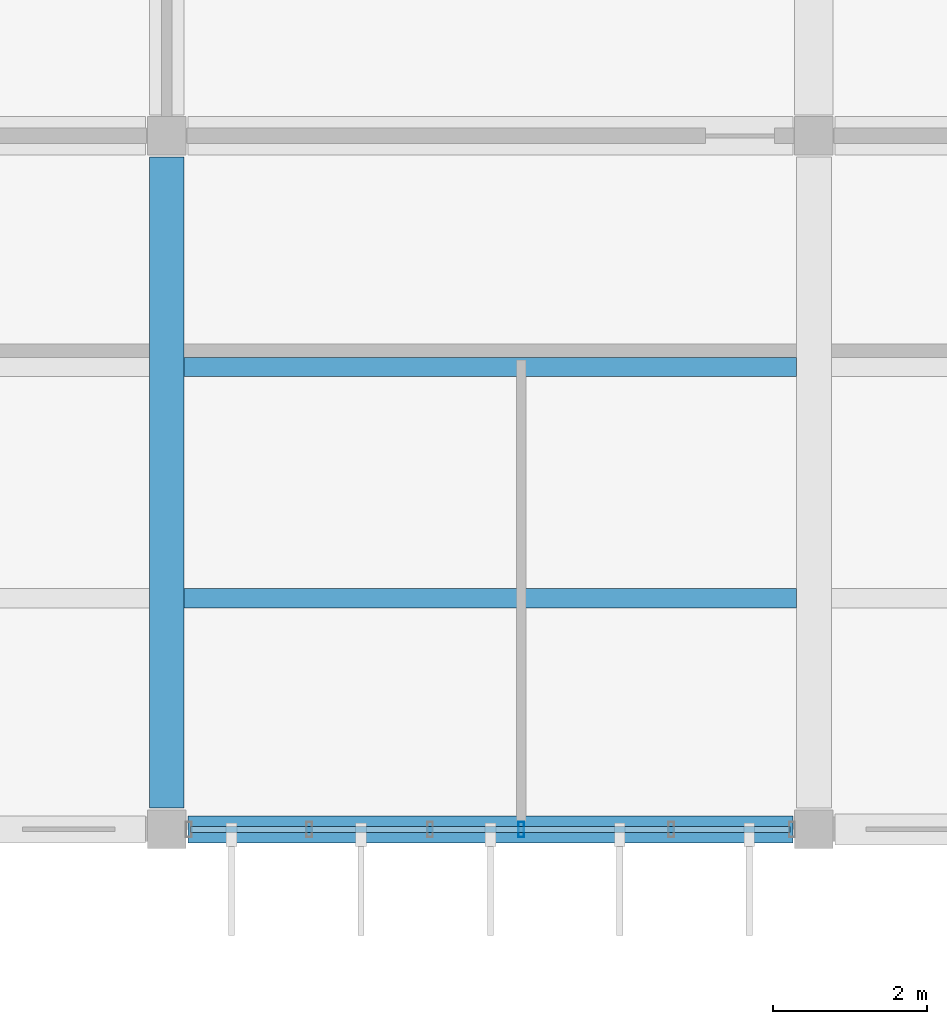
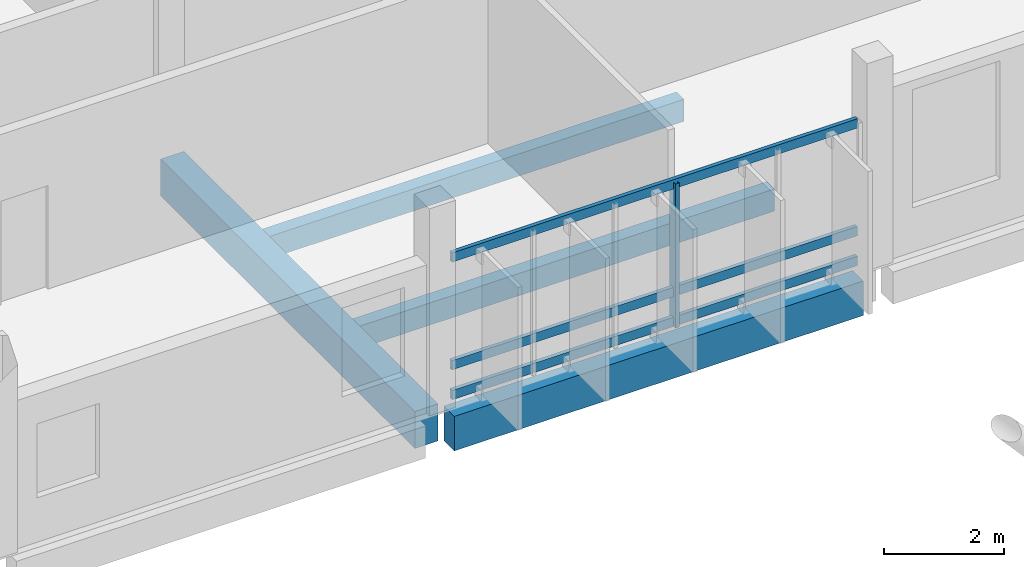
# One storey, part 49 of 107: 4 beams, 4 members, 1 element without a shape of its own.
"""IFC4 building model written with IfcOpenShell, lengths in metres."""

from ifc_helpers import new_model, si_unit, direction, frame, origin, origin_2d, place, context, subcontext, project, spatial, rectangle, hollow_rectangle, extrude, material, layer, layer_set, material_profile, profile_set, type_object, element, aggregate, save


model = new_model("IFC4")

# Units and contexts
model_context = context("Model", 3, precision=1e-05, world=origin(), true_north=direction((0.0, 1.0)))
body_context = subcontext(model_context, "Body", "Model", "MODEL_VIEW")
ifc_project = project(units=[si_unit("LENGTHUNIT", "METRE"), si_unit("AREAUNIT", "SQUARE_METRE"), si_unit("VOLUMEUNIT", "CUBIC_METRE"), si_unit("PLANEANGLEUNIT", "RADIAN"), si_unit("MASSUNIT", "GRAM", prefix="KILO")], contexts=[model_context])

# Site, building, storey
site_placement = place(None, origin())
site = spatial("IfcSite", under=ifc_project, at=site_placement, CompositionType="ELEMENT")
building_placement = place(site_placement, origin())
building = spatial("IfcBuilding", under=site, at=building_placement, Name="Vireocrest Preparatory School", CompositionType="ELEMENT")
storey_placement = place(building_placement, frame((0.0, 0.0, 13.199951171875)))
storey = spatial("IfcBuildingStorey", under=building, at=storey_placement, Name="L03", CompositionType="ELEMENT", Elevation=13.199951171875)

# Curtain wall, members
ifc_material_1 = material(Name="Thermally broken aluminium EN AW-6063-T6", Category="aluminium")
ifc_layer = layer(ifc_material_1, 0.179931640625)
ifc_layer_set = layer_set([ifc_layer], Name="Thermally broken aluminium EN AW-6063-T6")
curtain_wall_type = type_object("IfcCurtainWallType", Name="Setback Terrace Glazing 7600x3200", PredefinedType="USERDEFINED", material=ifc_layer_set)
curtain_wall_placement = place(storey_placement, origin())
curtain_wall = element("IfcCurtainWall", 1, at=curtain_wall_placement, inside=storey, type_object=curtain_wall_type, Name="Curtain Wall CW17 CW_L03_CW17_0758_0948_132", ObjectType="CURTAIN WALL", PredefinedType="USERDEFINED")
ifc_material_profile_1 = material_profile(ifc_material_1, hollow_rectangle(XDim=0.074951171875, YDim=0.199951171875, WallThickness=0.0048828125, at=origin_2d()), Name="ALU 75x200x5")
ifc_profile_set_1 = profile_set([ifc_material_profile_1], Name="Thermally broken aluminium EN AW-6063-T6")
member_type_1 = type_object("IfcMemberType", Name="CW Mullion 75x200x5", PredefinedType="MULLION", material=ifc_profile_set_1)
member_1_placement = place(storey_placement, frame((80.199951171875, 94.800048828125, 0.0), z_axis=(0.0, 0.0, 1.0), x_axis=(1.0, 0.0, 0.0)))
member_1 = element("IfcMember", 2, at=member_1_placement, type_object=member_type_1, Name="CW Mullion ML3 CW_L03_CW17_0758_0948_132-4", PredefinedType="MULLION", context=body_context, shape_type="SweptSolid", body=[
    extrude(hollow_rectangle(XDim=0.074951171875, YDim=0.199951171875, WallThickness=0.0048828125, at=origin_2d()), origin(), (0.0, 0.0, 1.0), 2.925048828125),
])
ifc_material_profile_2 = material_profile(ifc_material_1, hollow_rectangle(XDim=0.074951171875, YDim=0.18994140625, WallThickness=0.00390625, at=origin_2d()), Name="ALU 75x190x4")
ifc_profile_set_2 = profile_set([ifc_material_profile_2], Name="Thermally broken aluminium EN AW-6063-T6")
member_type_2 = type_object("IfcMemberType", Name="CW Transom 75x190x4", PredefinedType="USERDEFINED", material=ifc_profile_set_2)
member_2_placement = place(storey_placement, frame((75.909912109375, 94.800048828125, 0.094970703125), z_axis=(1.0, 0.0, 0.0), x_axis=(0.0, 1.0, 0.0)))
member_2 = element("IfcMember", 3, at=member_2_placement, type_object=member_type_2, Name="CW Transom TR3 CW_L03_CW17_0758_0948_132-1", ObjectType="TRANSOM", PredefinedType="USERDEFINED", context=body_context, shape_type="SweptSolid", body=[
    extrude(hollow_rectangle(XDim=0.074951171875, YDim=0.18994140625, WallThickness=0.00390625, at=origin_2d()), origin(), (0.0, 0.0, 1.0), 7.780029296875),
])
member_3_placement = place(storey_placement, frame((75.909912109375, 94.800048828125, 0.699951171875), z_axis=(1.0, 0.0, 0.0), x_axis=(0.0, 1.0, 0.0)))
member_3 = element("IfcMember", 4, at=member_3_placement, type_object=member_type_2, Name="CW Transom TR3 CW_L03_CW17_0758_0948_132-2", ObjectType="TRANSOM", PredefinedType="USERDEFINED", context=body_context, shape_type="SweptSolid", body=[
    extrude(hollow_rectangle(XDim=0.074951171875, YDim=0.18994140625, WallThickness=0.00390625, at=origin_2d()), origin(), (0.0, 0.0, 1.0), 7.780029296875),
])
member_4_placement = place(storey_placement, frame((75.909912109375, 94.800048828125, 2.885009765625), z_axis=(1.0, 0.0, 0.0), x_axis=(0.0, 1.0, 0.0)))
member_4 = element("IfcMember", 5, at=member_4_placement, type_object=member_type_2, Name="CW Transom TR3 CW_L03_CW17_0758_0948_132-3", ObjectType="TRANSOM", PredefinedType="USERDEFINED", context=body_context, shape_type="SweptSolid", body=[
    extrude(hollow_rectangle(XDim=0.074951171875, YDim=0.18994140625, WallThickness=0.00390625, at=origin_2d()), origin(), (0.0, 0.0, 1.0), 7.780029296875),
])
aggregate(curtain_wall, [member_1, member_2, member_3, member_4])

# Beams
ifc_material_2 = material(Name="Concrete 40 MPa", Category="concrete")
ifc_material_profile_3 = material_profile(ifc_material_2, rectangle(XDim=0.35009765625, YDim=0.699951171875, at=origin_2d()), Name="RC 350x700")
ifc_profile_set_3 = profile_set([ifc_material_profile_3], Name="Concrete 40 MPa")
beam_type_1 = type_object("IfcBeamType", Name="RC Laboratory Girder 350x700", PredefinedType="BEAM", material=ifc_profile_set_3)
beam_1_placement = place(storey_placement, frame((75.875, 94.800048828125, -0.58984375), z_axis=(1.0, 0.0, 0.0), x_axis=(0.0, 1.0, 0.0)))
element("IfcBeam", 6, at=beam_1_placement, inside=storey, type_object=beam_type_1, Name="Primary Girder B06 L03-1084", PredefinedType="BEAM", context=body_context, shape_type="SweptSolid", body=[
    extrude(rectangle(XDim=0.35009765625, YDim=0.699951171875, at=origin_2d()), origin(), (0.0, 0.0, 1.0), 7.85009765625),
])
ifc_material_profile_4 = material_profile(ifc_material_2, rectangle(XDim=0.449951171875, YDim=0.75, at=origin_2d()), Name="RC 450x750")
ifc_profile_set_4 = profile_set([ifc_material_profile_4], Name="Concrete 40 MPa")
beam_type_2 = type_object("IfcBeamType", Name="RC Library Stack Girder 450x750", PredefinedType="BEAM", material=ifc_profile_set_4)
beam_2_placement = place(storey_placement, frame((75.60009765625, 95.074951171875, -0.614990234375), z_axis=(0.0, 1.0, 0.0), x_axis=(-1.0, 0.0, 0.0)))
element("IfcBeam", 7, at=beam_2_placement, inside=storey, type_object=beam_type_2, Name="Primary Girder B11 L03-1138", PredefinedType="BEAM", context=body_context, shape_type="SweptSolid", body=[
    extrude(rectangle(XDim=0.449951171875, YDim=0.75, at=origin_2d()), origin(), (0.0, 0.0, 1.0), 8.449951171875),
])
ifc_material_profile_5 = material_profile(ifc_material_2, rectangle(XDim=0.25, YDim=0.449951171875, at=origin_2d()), Name="RC 250x450")
ifc_profile_set_5 = profile_set([ifc_material_profile_5], Name="Concrete 40 MPa")
beam_type_3 = type_object("IfcBeamType", Name="RC Secondary Floor Joist 250x450", PredefinedType="JOIST", material=ifc_profile_set_5)
for number, where, z_axis, x_axis, name in (
    (8, (75.824951171875, 97.800048828125, -0.46484375), (1.0, 0.0, 0.0), (0.0, 1.0, 0.0), "Secondary Joist J01 L03-1229"),
    (9, (75.824951171875, 100.800048828125, -0.46484375), (1.0, 0.0, 0.0), (0.0, 1.0, 0.0), "Secondary Joist J01 L03-1230"),
):
    element("IfcBeam", number, at=place(storey_placement, frame(where, z_axis=z_axis, x_axis=x_axis)), inside=storey, type_object=beam_type_3, Name=name, PredefinedType="JOIST", context=body_context, shape_type="SweptSolid", body=[
        extrude(rectangle(XDim=0.25, YDim=0.449951171875, at=origin_2d()), origin(), (0.0, 0.0, 1.0), 7.949951171875),
    ])

save(model, "model.ifc")
